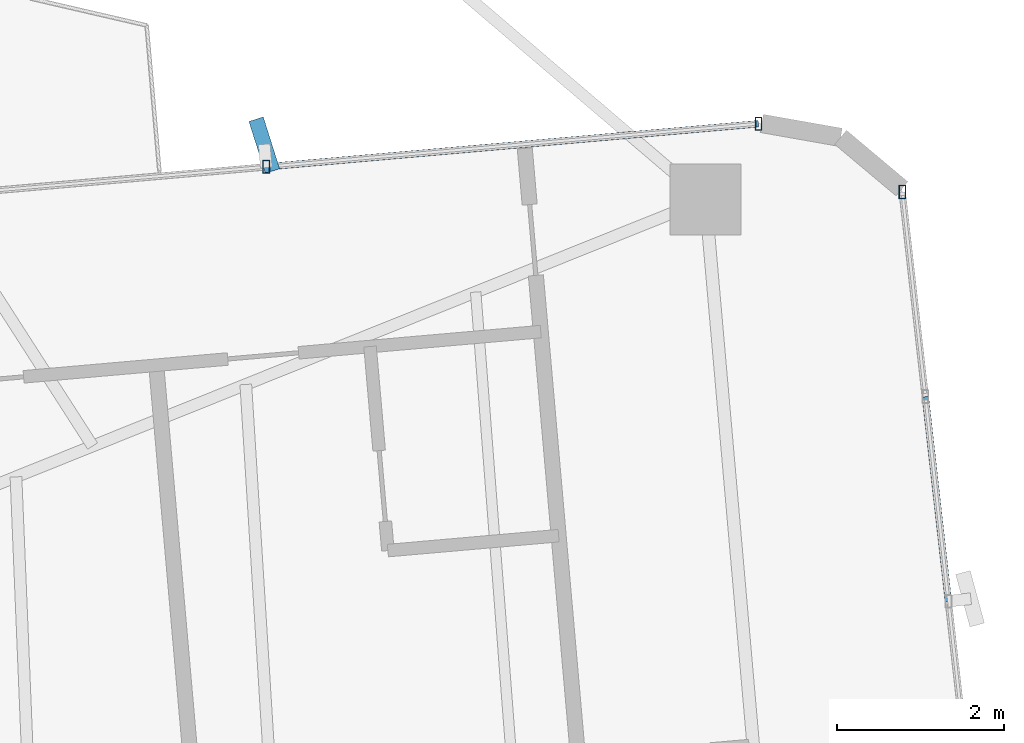
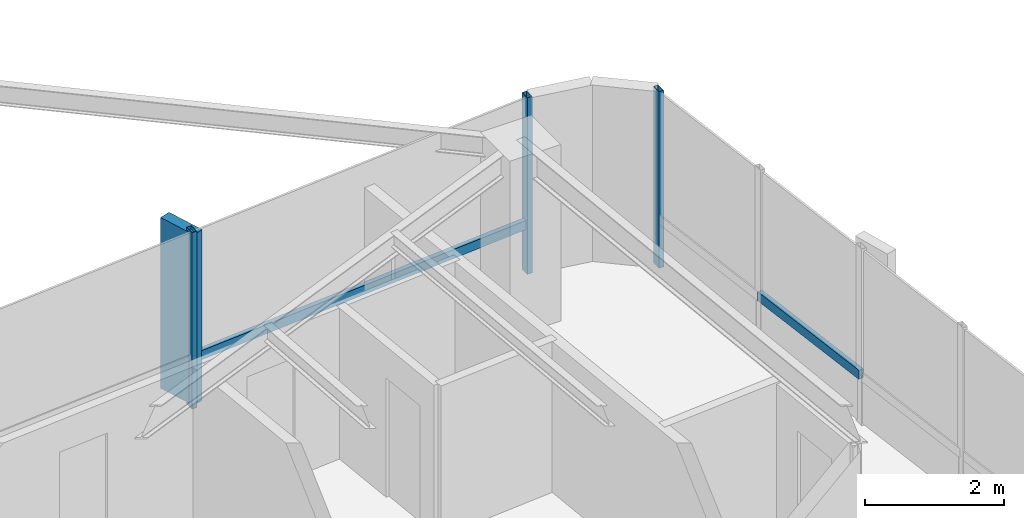
# One storey, part 15 of 24: 6 members, 2 elements without a shape of their own.
"""IFC4 building model written with IfcOpenShell, lengths in metres."""

from ifc_helpers import new_model, si_unit, direction, frame, origin, origin_2d, place, context, subcontext, project, spatial, rectangle, hollow_rectangle, extrude, source, transform, mapped, material, material_profile, profile_set, type_object, element, aggregate, save


model = new_model("IFC4")

# Units and contexts
model_context = context("Model", 3, precision=1e-05, world=origin(), true_north=direction((0.0, 1.0)))
body_context = subcontext(model_context, "Body", "Model", "MODEL_VIEW")
ifc_project = project(units=[si_unit("LENGTHUNIT", "METRE"), si_unit("AREAUNIT", "SQUARE_METRE"), si_unit("VOLUMEUNIT", "CUBIC_METRE"), si_unit("PLANEANGLEUNIT", "RADIAN"), si_unit("MASSUNIT", "GRAM", prefix="KILO")], contexts=[model_context])

# Site, building, storey
site_placement = place(None, origin())
site = spatial("IfcSite", under=ifc_project, at=site_placement, CompositionType="ELEMENT")
building_placement = place(site_placement, origin())
building = spatial("IfcBuilding", under=site, at=building_placement, Name="Sahyath Konkavel Grand Hotel", CompositionType="ELEMENT")
storey_placement = place(building_placement, frame((0.0, 0.0, 150.60009765625)))
storey = spatial("IfcBuildingStorey", under=building, at=storey_placement, Name="L41", CompositionType="ELEMENT", Elevation=150.60009765625)

# Curtain wall, member
ifc_material_1 = material(Name="Anodised Bronze Aluminium & Low-E Glazing", Category="aluminium")
curtain_wall_type = type_object("IfcCurtainWallType", Name="CW-ZONE3", PredefinedType="NOTDEFINED", material=ifc_material_1)
curtain_wall_1_placement = place(storey_placement, origin())
curtain_wall_1 = element("IfcCurtainWall", 1, at=curtain_wall_1_placement, inside=storey, type_object=curtain_wall_type, Name="L41 Unitised Curtain Wall F4", PredefinedType="NOTDEFINED")
ifc_material_2 = material(Name="Anodised Bronze Aluminium", Category="aluminium")
ifc_material_profile_1 = material_profile(ifc_material_2, hollow_rectangle(XDim=0.080078125, YDim=0.159912109375, WallThickness=0.006103515625, at=origin_2d()), Name="RHS 160x80x6")
ifc_profile_set_1 = profile_set([ifc_material_profile_1], Name="Anodised Bronze Aluminium")
member_type_1 = type_object("IfcMemberType", Name="CW-MUL-160", PredefinedType="MULLION", material=ifc_profile_set_1)
shared_shape_1 = source(origin(), body_context, "Body", "SweptSolid", [
    extrude(hollow_rectangle(XDim=0.080078125, YDim=0.159912109375, WallThickness=0.006103515625, at=origin_2d()), origin(), (0.0, 0.0, 1.0), 3.10986328125),
])
member_1_placement = place(storey_placement, frame((19.308349609375, 7.094970703125, 0.0), z_axis=(0.0, 0.0, 1.0), x_axis=(1.0, 0.0, 0.0)))
member_1 = element("IfcMember", 2, at=member_1_placement, type_object=member_type_1, Name="L41 Curtain Wall Mullion F4-4", PredefinedType="MULLION", context=body_context, shape_type="MappedRepresentation", body=[
    mapped(shared_shape_1, transform((0.0, 0.0, 0.0), scale=1.0)),
])

# Curtain wall, members
curtain_wall_2_placement = place(storey_placement, origin())
curtain_wall_2 = element("IfcCurtainWall", 3, at=curtain_wall_2_placement, inside=storey, type_object=curtain_wall_type, Name="L41 Unitised Curtain Wall F7", PredefinedType="NOTDEFINED")
member_2_placement = place(storey_placement, frame((17.58740234375, 7.912841796875, 0.0), z_axis=(0.0, 0.0, 1.0), x_axis=(1.0, 0.0, 0.0)))
member_2 = element("IfcMember", 4, at=member_2_placement, type_object=member_type_1, Name="L41 Curtain Wall Mullion F7-0", PredefinedType="MULLION", context=body_context, shape_type="MappedRepresentation", body=[
    mapped(shared_shape_1, transform((0.0, 0.0, 0.0), scale=1.0)),
])
member_3_placement = place(storey_placement, frame((11.69970703125, 7.39794921875, 0.0), z_axis=(0.0, 0.0, 1.0), x_axis=(1.0, 0.0, 0.0)))
member_3 = element("IfcMember", 5, at=member_3_placement, type_object=member_type_1, Name="L41 Curtain Wall Mullion F7-1", PredefinedType="MULLION", context=body_context, shape_type="MappedRepresentation", body=[
    mapped(shared_shape_1, transform((0.0, 0.0, 0.0), scale=1.0)),
])
ifc_material_3 = material(Name="Warm Buff Sandstone Cladding on Concrete C50/60", Category="masonry")
ifc_material_profile_2 = material_profile(ifc_material_3, rectangle(XDim=0.179931640625, YDim=0.64990234375, at=origin_2d()), Name="FIN 180x650")
ifc_profile_set_2 = profile_set([ifc_material_profile_2], Name="Warm Buff Sandstone Cladding on Concrete C50/60")
member_type_2 = type_object("IfcMemberType", Name="FIN-SANDSTONE-650", PredefinedType="MULLION", material=ifc_profile_set_2)
shared_shape_2 = source(origin(), body_context, "Body", "SweptSolid", [
    extrude(rectangle(XDim=0.179931640625, YDim=0.64990234375, at=origin_2d()), origin(), (0.0, 0.0, 1.0), 3.010009765625),
])
member_4_placement = place(storey_placement, frame((11.677001953125, 7.656982421875, 0.0498046875), z_axis=(0.0, 0.0, 1.0), x_axis=(0.953348857629, 0.301870759858, 0.0)))
member_4 = element("IfcMember", 6, at=member_4_placement, type_object=member_type_2, Name="L41 Sandstone Vertical Solar Fin FIN F7-1", PredefinedType="MULLION", context=body_context, shape_type="MappedRepresentation", body=[
    mapped(shared_shape_2, transform((0.0, 0.0, 0.0), scale=1.0)),
])

# Member
ifc_material_profile_3 = material_profile(ifc_material_2, hollow_rectangle(XDim=0.080078125, YDim=0.159912109375, WallThickness=0.006103515625, at=origin_2d()), Name="RHS 160x80x6")
ifc_profile_set_3 = profile_set([ifc_material_profile_3], Name="Anodised Bronze Aluminium")
member_type_3 = type_object("IfcMemberType", Name="CW-TRN-160", PredefinedType="USERDEFINED", material=ifc_profile_set_3)
shared_shape_3 = source(origin(), body_context, "Body", "SweptSolid", [
    extrude(hollow_rectangle(XDim=0.080078125, YDim=0.159912109375, WallThickness=0.006103515625, at=origin_2d()), origin(), (0.0, 0.0, 1.0), 2.461669921875),
])
member_5_placement = place(storey_placement, frame((19.859619140625, 2.201904296875, 0.849853515625), z_axis=(-0.111966154832, 0.993712020744, 0.0), x_axis=(-0.993712020744, -0.111966154832, 0.0)))
member_5 = element("IfcMember", 7, at=member_5_placement, type_object=member_type_3, Name="L41 Curtain Wall Transom F4-2-spandrel", ObjectType="TRANSOM", PredefinedType="USERDEFINED", context=body_context, shape_type="MappedRepresentation", body=[
    mapped(shared_shape_3, transform((0.0, 0.0, 0.0), scale=1.0)),
])

aggregate(curtain_wall_1, [member_1, member_5])

shared_shape_4 = source(origin(), body_context, "Body", "SweptSolid", [
    extrude(hollow_rectangle(XDim=0.080078125, YDim=0.159912109375, WallThickness=0.006103515625, at=origin_2d()), origin(), (0.0, 0.0, 1.0), 5.91015625),
])
member_6_placement = place(storey_placement, frame((17.58740234375, 7.912841796875, 0.849853515625), z_axis=(-0.996197841474, -0.087119806256, 0.0), x_axis=(0.087119806256, -0.996197841474, 0.0)))
member_6 = element("IfcMember", 8, at=member_6_placement, type_object=member_type_3, Name="L41 Curtain Wall Transom F7-0-spandrel", ObjectType="TRANSOM", PredefinedType="USERDEFINED", context=body_context, shape_type="MappedRepresentation", body=[
    mapped(shared_shape_4, transform((0.0, 0.0, 0.0), scale=1.0)),
])

aggregate(curtain_wall_2, [member_2, member_3, member_4, member_6])

save(model, "model.ifc")
